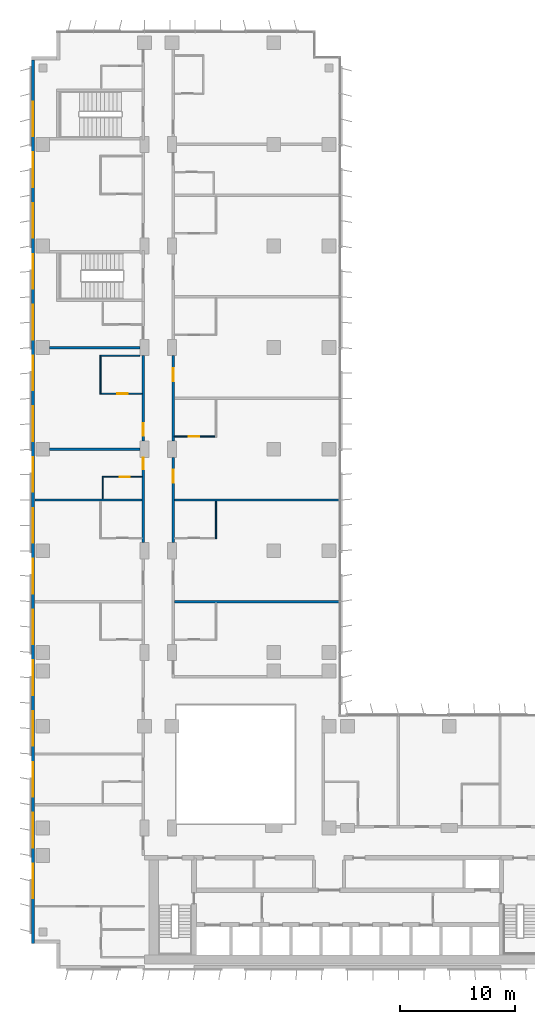
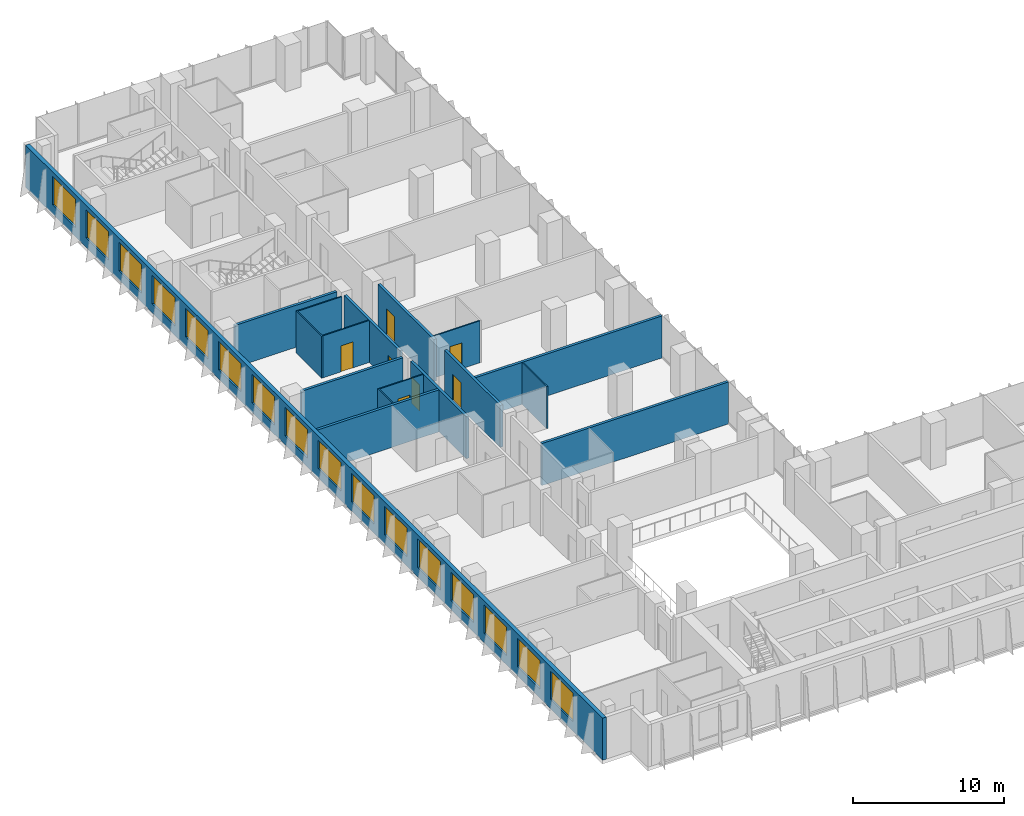
# One storey, part 16 of 22: 17 walls, 16 windows, 7 doors, 23 openings.
"""IFC4 building model written with IfcOpenShell, lengths in metres."""

from ifc_helpers import new_model, si_unit, direction, frame, frame_2d, origin, place, context, subcontext, project, spatial, rectangle, extrude, material, layer, layer_set, type_object, element, fill, save


model = new_model("IFC4")

# Units and contexts
model_context = context("Model", 3, precision=1e-05, world=origin(), true_north=direction((0.0, 1.0)))
body_context = subcontext(model_context, "Body", "Model", "MODEL_VIEW")
ifc_project = project(units=[si_unit("LENGTHUNIT", "METRE"), si_unit("AREAUNIT", "SQUARE_METRE"), si_unit("VOLUMEUNIT", "CUBIC_METRE"), si_unit("PLANEANGLEUNIT", "RADIAN"), si_unit("MASSUNIT", "GRAM", prefix="KILO")], contexts=[model_context])

# Site, building, storey
site_placement = place(None, origin())
site = spatial("IfcSite", under=ifc_project, at=site_placement, CompositionType="ELEMENT")
building_placement = place(site_placement, origin())
building = spatial("IfcBuilding", under=site, at=building_placement, Name="Kemantara Hotel Tower", CompositionType="ELEMENT")
storey_placement = place(building_placement, frame((0.0, 0.0, 87.10009765625)))
storey = spatial("IfcBuildingStorey", under=building, at=storey_placement, Name="L20", CompositionType="ELEMENT", Elevation=87.10009765625)

# Wall, openings, windows
ifc_material_1 = material(Name="Bronze anodised aluminium cladding on insulated steel stud wall", Category="steel")
ifc_layer_1 = layer(ifc_material_1, 0.300048828125)
ifc_layer_set_1 = layer_set([ifc_layer_1], Name="Bronze anodised aluminium cladding on insulated steel stud wall")
wall_type_1 = type_object("IfcWallType", Name="BRONZE METAL-CLAD EXTERNAL WALL 300", PredefinedType="STANDARD", material=ifc_layer_set_1)
wall_1_placement = place(storey_placement, frame((0.14990234375, 78.699951171875, 0.0), z_axis=(0.0, 0.0, 1.0), x_axis=(0.0, -1.0, 0.0)))
wall_1 = element("IfcWall", 1, at=wall_1_placement, inside=storey, type_object=wall_type_1, Name="EXTERNAL WALL L20 T2-R04", PredefinedType="STANDARD", context=body_context, shape_type="SweptSolid", body=[
    extrude(rectangle(XDim=76.5, YDim=0.300048828125, at=frame_2d((38.25, 0.0))), origin(), (0.0, 0.0, 1.0), 3.39990234375),
])
opening_1_placement = place(wall_1_placement, frame((3.60009765625, 0.0, 0.75)))
opening_1 = element("IfcOpeningElement", 2, at=opening_1_placement, cuts=wall_1, Name="Opening W1", PredefinedType="OPENING", context=body_context, shape_type="SweptSolid", body=[
    extrude(rectangle(XDim=3.0, YDim=2.300048828125, at=frame_2d((1.5, 1.14990234375))), frame((0.0, 0.159912109375, 0.0), z_axis=(0.0, -1.0, 0.0), x_axis=(1.0, 0.0, 0.0)), (0.0, 0.0, 1.0), 0.320068359375),
])
opening_2_placement = place(wall_1_placement, frame((8.0, 0.0, 0.75)))
opening_2 = element("IfcOpeningElement", 3, at=opening_2_placement, cuts=wall_1, Name="Opening W1", PredefinedType="OPENING", context=body_context, shape_type="SweptSolid", body=[
    extrude(rectangle(XDim=3.0, YDim=2.300048828125, at=frame_2d((1.5, 1.14990234375))), frame((0.0, 0.159912109375, 0.0), z_axis=(0.0, -1.0, 0.0), x_axis=(1.0, 0.0, 0.0)), (0.0, 0.0, 1.0), 0.320068359375),
])
opening_3_placement = place(wall_1_placement, frame((12.39990234375, 0.0, 0.75)))
opening_3 = element("IfcOpeningElement", 4, at=opening_3_placement, cuts=wall_1, Name="Opening W1", PredefinedType="OPENING", context=body_context, shape_type="SweptSolid", body=[
    extrude(rectangle(XDim=3.0, YDim=2.300048828125, at=frame_2d((1.5, 1.14990234375))), frame((0.0, 0.159912109375, 0.0), z_axis=(0.0, -1.0, 0.0), x_axis=(1.0, 0.0, 0.0)), (0.0, 0.0, 1.0), 0.320068359375),
])
opening_4_placement = place(wall_1_placement, frame((16.800048828125, 0.0, 0.75)))
opening_4 = element("IfcOpeningElement", 5, at=opening_4_placement, cuts=wall_1, Name="Opening W1", PredefinedType="OPENING", context=body_context, shape_type="SweptSolid", body=[
    extrude(rectangle(XDim=3.0, YDim=2.300048828125, at=frame_2d((1.5, 1.14990234375))), frame((0.0, 0.159912109375, 0.0), z_axis=(0.0, -1.0, 0.0), x_axis=(1.0, 0.0, 0.0)), (0.0, 0.0, 1.0), 0.320068359375),
])
opening_5_placement = place(wall_1_placement, frame((21.199951171875, 0.0, 0.75)))
opening_5 = element("IfcOpeningElement", 6, at=opening_5_placement, cuts=wall_1, Name="Opening W1", PredefinedType="OPENING", context=body_context, shape_type="SweptSolid", body=[
    extrude(rectangle(XDim=3.0, YDim=2.300048828125, at=frame_2d((1.5, 1.14990234375))), frame((0.0, 0.159912109375, 0.0), z_axis=(0.0, -1.0, 0.0), x_axis=(1.0, 0.0, 0.0)), (0.0, 0.0, 1.0), 0.320068359375),
])
opening_6_placement = place(wall_1_placement, frame((25.60009765625, 0.0, 0.75)))
opening_6 = element("IfcOpeningElement", 7, at=opening_6_placement, cuts=wall_1, Name="Opening W1", PredefinedType="OPENING", context=body_context, shape_type="SweptSolid", body=[
    extrude(rectangle(XDim=3.0, YDim=2.300048828125, at=frame_2d((1.5, 1.14990234375))), frame((0.0, 0.159912109375, 0.0), z_axis=(0.0, -1.0, 0.0), x_axis=(1.0, 0.0, 0.0)), (0.0, 0.0, 1.0), 0.320068359375),
])
opening_7_placement = place(wall_1_placement, frame((30.0, 0.0, 0.75)))
opening_7 = element("IfcOpeningElement", 8, at=opening_7_placement, cuts=wall_1, Name="Opening W1", PredefinedType="OPENING", context=body_context, shape_type="SweptSolid", body=[
    extrude(rectangle(XDim=3.0, YDim=2.300048828125, at=frame_2d((1.5, 1.14990234375))), frame((0.0, 0.159912109375, 0.0), z_axis=(0.0, -1.0, 0.0), x_axis=(1.0, 0.0, 0.0)), (0.0, 0.0, 1.0), 0.320068359375),
])
opening_8_placement = place(wall_1_placement, frame((34.39990234375, 0.0, 0.75)))
opening_8 = element("IfcOpeningElement", 9, at=opening_8_placement, cuts=wall_1, Name="Opening W1", PredefinedType="OPENING", context=body_context, shape_type="SweptSolid", body=[
    extrude(rectangle(XDim=3.0, YDim=2.300048828125, at=frame_2d((1.5, 1.14990234375))), frame((0.0, 0.159912109375, 0.0), z_axis=(0.0, -1.0, 0.0), x_axis=(1.0, 0.0, 0.0)), (0.0, 0.0, 1.0), 0.320068359375),
])
opening_9_placement = place(wall_1_placement, frame((38.800048828125, 0.0, 0.75)))
opening_9 = element("IfcOpeningElement", 10, at=opening_9_placement, cuts=wall_1, Name="Opening W1", PredefinedType="OPENING", context=body_context, shape_type="SweptSolid", body=[
    extrude(rectangle(XDim=3.0, YDim=2.300048828125, at=frame_2d((1.5, 1.14990234375))), frame((0.0, 0.159912109375, 0.0), z_axis=(0.0, -1.0, 0.0), x_axis=(1.0, 0.0, 0.0)), (0.0, 0.0, 1.0), 0.320068359375),
])
opening_10_placement = place(wall_1_placement, frame((43.199951171875, 0.0, 0.75)))
opening_10 = element("IfcOpeningElement", 11, at=opening_10_placement, cuts=wall_1, Name="Opening W1", PredefinedType="OPENING", context=body_context, shape_type="SweptSolid", body=[
    extrude(rectangle(XDim=3.0, YDim=2.300048828125, at=frame_2d((1.5, 1.14990234375))), frame((0.0, 0.159912109375, 0.0), z_axis=(0.0, -1.0, 0.0), x_axis=(1.0, 0.0, 0.0)), (0.0, 0.0, 1.0), 0.320068359375),
])
opening_11_placement = place(wall_1_placement, frame((47.60009765625, 0.0, 0.75)))
opening_11 = element("IfcOpeningElement", 12, at=opening_11_placement, cuts=wall_1, Name="Opening W1", PredefinedType="OPENING", context=body_context, shape_type="SweptSolid", body=[
    extrude(rectangle(XDim=3.0, YDim=2.300048828125, at=frame_2d((1.5, 1.14990234375))), frame((0.0, 0.159912109375, 0.0), z_axis=(0.0, -1.0, 0.0), x_axis=(1.0, 0.0, 0.0)), (0.0, 0.0, 1.0), 0.320068359375),
])
opening_12_placement = place(wall_1_placement, frame((52.0, 0.0, 0.75)))
opening_12 = element("IfcOpeningElement", 13, at=opening_12_placement, cuts=wall_1, Name="Opening W1", PredefinedType="OPENING", context=body_context, shape_type="SweptSolid", body=[
    extrude(rectangle(XDim=3.0, YDim=2.300048828125, at=frame_2d((1.5, 1.14990234375))), frame((0.0, 0.159912109375, 0.0), z_axis=(0.0, -1.0, 0.0), x_axis=(1.0, 0.0, 0.0)), (0.0, 0.0, 1.0), 0.320068359375),
])
opening_13_placement = place(wall_1_placement, frame((56.39990234375, 0.0, 0.75)))
opening_13 = element("IfcOpeningElement", 14, at=opening_13_placement, cuts=wall_1, Name="Opening W1", PredefinedType="OPENING", context=body_context, shape_type="SweptSolid", body=[
    extrude(rectangle(XDim=3.0, YDim=2.300048828125, at=frame_2d((1.5, 1.14990234375))), frame((0.0, 0.159912109375, 0.0), z_axis=(0.0, -1.0, 0.0), x_axis=(1.0, 0.0, 0.0)), (0.0, 0.0, 1.0), 0.320068359375),
])
opening_14_placement = place(wall_1_placement, frame((60.800048828125, 0.0, 0.75)))
opening_14 = element("IfcOpeningElement", 15, at=opening_14_placement, cuts=wall_1, Name="Opening W1", PredefinedType="OPENING", context=body_context, shape_type="SweptSolid", body=[
    extrude(rectangle(XDim=3.0, YDim=2.300048828125, at=frame_2d((1.5, 1.14990234375))), frame((0.0, 0.159912109375, 0.0), z_axis=(0.0, -1.0, 0.0), x_axis=(1.0, 0.0, 0.0)), (0.0, 0.0, 1.0), 0.320068359375),
])
opening_15_placement = place(wall_1_placement, frame((65.199951171875, 0.0, 0.75)))
opening_15 = element("IfcOpeningElement", 16, at=opening_15_placement, cuts=wall_1, Name="Opening W1", PredefinedType="OPENING", context=body_context, shape_type="SweptSolid", body=[
    extrude(rectangle(XDim=3.0, YDim=2.300048828125, at=frame_2d((1.5, 1.14990234375))), frame((0.0, 0.159912109375, 0.0), z_axis=(0.0, -1.0, 0.0), x_axis=(1.0, 0.0, 0.0)), (0.0, 0.0, 1.0), 0.320068359375),
])
opening_16_placement = place(wall_1_placement, frame((69.60009765625, 0.0, 0.75)))
opening_16 = element("IfcOpeningElement", 17, at=opening_16_placement, cuts=wall_1, Name="Opening W1", PredefinedType="OPENING", context=body_context, shape_type="SweptSolid", body=[
    extrude(rectangle(XDim=3.0, YDim=2.300048828125, at=frame_2d((1.5, 1.14990234375))), frame((0.0, 0.159912109375, 0.0), z_axis=(0.0, -1.0, 0.0), x_axis=(1.0, 0.0, 0.0)), (0.0, 0.0, 1.0), 0.320068359375),
])
ifc_material_2 = material(Name="Low-E tinted double insulated glass in bronze anodised aluminium frame", Category="aluminium")
window_type = type_object("IfcWindowType", Name="CHICAGO WINDOW, TRIPLE PANEL 3000x2300", PartitioningType="TRIPLE_PANEL_VERTICAL", PredefinedType="WINDOW", material=ifc_material_2)
window_1_placement = place(opening_1_placement, origin())
window_1 = element("IfcWindow", 18, at=window_1_placement, inside=storey, type_object=window_type, Name="CHICAGO WINDOW L20 T2-R04-54", OverallHeight=2.300048828125, OverallWidth=3.0, PartitioningType="SINGLE_PANEL", PredefinedType="WINDOW", context=body_context, shape_type="SweptSolid", body=[
    extrude(rectangle(XDim=3.0, YDim=2.300048828125, at=frame_2d((1.5, 1.14990234375))), frame((0.0, 0.030029296875, 0.0), z_axis=(0.0, -1.0, 0.0), x_axis=(1.0, 0.0, 0.0)), (0.0, 0.0, 1.0), 0.06005859375),
])
fill(opening_1, window_1)
window_2_placement = place(opening_2_placement, origin())
window_2 = element("IfcWindow", 19, at=window_2_placement, inside=storey, type_object=window_type, Name="CHICAGO WINDOW L20 T2-R04-98", OverallHeight=2.300048828125, OverallWidth=3.0, PartitioningType="SINGLE_PANEL", PredefinedType="WINDOW", context=body_context, shape_type="SweptSolid", body=[
    extrude(rectangle(XDim=3.0, YDim=2.300048828125, at=frame_2d((1.5, 1.14990234375))), frame((0.0, 0.030029296875, 0.0), z_axis=(0.0, -1.0, 0.0), x_axis=(1.0, 0.0, 0.0)), (0.0, 0.0, 1.0), 0.06005859375),
])
fill(opening_2, window_2)
window_3_placement = place(opening_3_placement, origin())
window_3 = element("IfcWindow", 20, at=window_3_placement, inside=storey, type_object=window_type, Name="CHICAGO WINDOW L20 T2-R04-142", OverallHeight=2.300048828125, OverallWidth=3.0, PartitioningType="SINGLE_PANEL", PredefinedType="WINDOW", context=body_context, shape_type="SweptSolid", body=[
    extrude(rectangle(XDim=3.0, YDim=2.300048828125, at=frame_2d((1.5, 1.14990234375))), frame((0.0, 0.030029296875, 0.0), z_axis=(0.0, -1.0, 0.0), x_axis=(1.0, 0.0, 0.0)), (0.0, 0.0, 1.0), 0.06005859375),
])
fill(opening_3, window_3)
window_4_placement = place(opening_4_placement, origin())
window_4 = element("IfcWindow", 21, at=window_4_placement, inside=storey, type_object=window_type, Name="CHICAGO WINDOW L20 T2-R04-186", OverallHeight=2.300048828125, OverallWidth=3.0, PartitioningType="SINGLE_PANEL", PredefinedType="WINDOW", context=body_context, shape_type="SweptSolid", body=[
    extrude(rectangle(XDim=3.0, YDim=2.300048828125, at=frame_2d((1.5, 1.14990234375))), frame((0.0, 0.030029296875, 0.0), z_axis=(0.0, -1.0, 0.0), x_axis=(1.0, 0.0, 0.0)), (0.0, 0.0, 1.0), 0.06005859375),
])
fill(opening_4, window_4)
window_5_placement = place(opening_5_placement, origin())
window_5 = element("IfcWindow", 22, at=window_5_placement, inside=storey, type_object=window_type, Name="CHICAGO WINDOW L20 T2-R04-230", OverallHeight=2.300048828125, OverallWidth=3.0, PartitioningType="SINGLE_PANEL", PredefinedType="WINDOW", context=body_context, shape_type="SweptSolid", body=[
    extrude(rectangle(XDim=3.0, YDim=2.300048828125, at=frame_2d((1.5, 1.14990234375))), frame((0.0, 0.030029296875, 0.0), z_axis=(0.0, -1.0, 0.0), x_axis=(1.0, 0.0, 0.0)), (0.0, 0.0, 1.0), 0.06005859375),
])
fill(opening_5, window_5)
window_6_placement = place(opening_6_placement, origin())
window_6 = element("IfcWindow", 23, at=window_6_placement, inside=storey, type_object=window_type, Name="CHICAGO WINDOW L20 T2-R04-274", OverallHeight=2.300048828125, OverallWidth=3.0, PartitioningType="SINGLE_PANEL", PredefinedType="WINDOW", context=body_context, shape_type="SweptSolid", body=[
    extrude(rectangle(XDim=3.0, YDim=2.300048828125, at=frame_2d((1.5, 1.14990234375))), frame((0.0, 0.030029296875, 0.0), z_axis=(0.0, -1.0, 0.0), x_axis=(1.0, 0.0, 0.0)), (0.0, 0.0, 1.0), 0.06005859375),
])
fill(opening_6, window_6)
window_7_placement = place(opening_7_placement, origin())
window_7 = element("IfcWindow", 24, at=window_7_placement, inside=storey, type_object=window_type, Name="CHICAGO WINDOW L20 T2-R04-318", OverallHeight=2.300048828125, OverallWidth=3.0, PartitioningType="SINGLE_PANEL", PredefinedType="WINDOW", context=body_context, shape_type="SweptSolid", body=[
    extrude(rectangle(XDim=3.0, YDim=2.300048828125, at=frame_2d((1.5, 1.14990234375))), frame((0.0, 0.030029296875, 0.0), z_axis=(0.0, -1.0, 0.0), x_axis=(1.0, 0.0, 0.0)), (0.0, 0.0, 1.0), 0.06005859375),
])
fill(opening_7, window_7)
window_8_placement = place(opening_8_placement, origin())
window_8 = element("IfcWindow", 25, at=window_8_placement, inside=storey, type_object=window_type, Name="CHICAGO WINDOW L20 T2-R04-362", OverallHeight=2.300048828125, OverallWidth=3.0, PartitioningType="SINGLE_PANEL", PredefinedType="WINDOW", context=body_context, shape_type="SweptSolid", body=[
    extrude(rectangle(XDim=3.0, YDim=2.300048828125, at=frame_2d((1.5, 1.14990234375))), frame((0.0, 0.030029296875, 0.0), z_axis=(0.0, -1.0, 0.0), x_axis=(1.0, 0.0, 0.0)), (0.0, 0.0, 1.0), 0.06005859375),
])
fill(opening_8, window_8)
window_9_placement = place(opening_9_placement, origin())
window_9 = element("IfcWindow", 26, at=window_9_placement, inside=storey, type_object=window_type, Name="CHICAGO WINDOW L20 T2-R04-406", OverallHeight=2.300048828125, OverallWidth=3.0, PartitioningType="SINGLE_PANEL", PredefinedType="WINDOW", context=body_context, shape_type="SweptSolid", body=[
    extrude(rectangle(XDim=3.0, YDim=2.300048828125, at=frame_2d((1.5, 1.14990234375))), frame((0.0, 0.030029296875, 0.0), z_axis=(0.0, -1.0, 0.0), x_axis=(1.0, 0.0, 0.0)), (0.0, 0.0, 1.0), 0.06005859375),
])
fill(opening_9, window_9)
window_10_placement = place(opening_10_placement, origin())
window_10 = element("IfcWindow", 27, at=window_10_placement, inside=storey, type_object=window_type, Name="CHICAGO WINDOW L20 T2-R04-450", OverallHeight=2.300048828125, OverallWidth=3.0, PartitioningType="SINGLE_PANEL", PredefinedType="WINDOW", context=body_context, shape_type="SweptSolid", body=[
    extrude(rectangle(XDim=3.0, YDim=2.300048828125, at=frame_2d((1.5, 1.14990234375))), frame((0.0, 0.030029296875, 0.0), z_axis=(0.0, -1.0, 0.0), x_axis=(1.0, 0.0, 0.0)), (0.0, 0.0, 1.0), 0.06005859375),
])
fill(opening_10, window_10)
window_11_placement = place(opening_11_placement, origin())
window_11 = element("IfcWindow", 28, at=window_11_placement, inside=storey, type_object=window_type, Name="CHICAGO WINDOW L20 T2-R04-494", OverallHeight=2.300048828125, OverallWidth=3.0, PartitioningType="SINGLE_PANEL", PredefinedType="WINDOW", context=body_context, shape_type="SweptSolid", body=[
    extrude(rectangle(XDim=3.0, YDim=2.300048828125, at=frame_2d((1.5, 1.14990234375))), frame((0.0, 0.030029296875, 0.0), z_axis=(0.0, -1.0, 0.0), x_axis=(1.0, 0.0, 0.0)), (0.0, 0.0, 1.0), 0.06005859375),
])
fill(opening_11, window_11)
window_12_placement = place(opening_12_placement, origin())
window_12 = element("IfcWindow", 29, at=window_12_placement, inside=storey, type_object=window_type, Name="CHICAGO WINDOW L20 T2-R04-538", OverallHeight=2.300048828125, OverallWidth=3.0, PartitioningType="SINGLE_PANEL", PredefinedType="WINDOW", context=body_context, shape_type="SweptSolid", body=[
    extrude(rectangle(XDim=3.0, YDim=2.300048828125, at=frame_2d((1.5, 1.14990234375))), frame((0.0, 0.030029296875, 0.0), z_axis=(0.0, -1.0, 0.0), x_axis=(1.0, 0.0, 0.0)), (0.0, 0.0, 1.0), 0.06005859375),
])
fill(opening_12, window_12)
window_13_placement = place(opening_13_placement, origin())
window_13 = element("IfcWindow", 30, at=window_13_placement, inside=storey, type_object=window_type, Name="CHICAGO WINDOW L20 T2-R04-582", OverallHeight=2.300048828125, OverallWidth=3.0, PartitioningType="SINGLE_PANEL", PredefinedType="WINDOW", context=body_context, shape_type="SweptSolid", body=[
    extrude(rectangle(XDim=3.0, YDim=2.300048828125, at=frame_2d((1.5, 1.14990234375))), frame((0.0, 0.030029296875, 0.0), z_axis=(0.0, -1.0, 0.0), x_axis=(1.0, 0.0, 0.0)), (0.0, 0.0, 1.0), 0.06005859375),
])
fill(opening_13, window_13)
window_14_placement = place(opening_14_placement, origin())
window_14 = element("IfcWindow", 31, at=window_14_placement, inside=storey, type_object=window_type, Name="CHICAGO WINDOW L20 T2-R04-626", OverallHeight=2.300048828125, OverallWidth=3.0, PartitioningType="SINGLE_PANEL", PredefinedType="WINDOW", context=body_context, shape_type="SweptSolid", body=[
    extrude(rectangle(XDim=3.0, YDim=2.300048828125, at=frame_2d((1.5, 1.14990234375))), frame((0.0, 0.030029296875, 0.0), z_axis=(0.0, -1.0, 0.0), x_axis=(1.0, 0.0, 0.0)), (0.0, 0.0, 1.0), 0.06005859375),
])
fill(opening_14, window_14)
window_15_placement = place(opening_15_placement, origin())
window_15 = element("IfcWindow", 32, at=window_15_placement, inside=storey, type_object=window_type, Name="CHICAGO WINDOW L20 T2-R04-670", OverallHeight=2.300048828125, OverallWidth=3.0, PartitioningType="SINGLE_PANEL", PredefinedType="WINDOW", context=body_context, shape_type="SweptSolid", body=[
    extrude(rectangle(XDim=3.0, YDim=2.300048828125, at=frame_2d((1.5, 1.14990234375))), frame((0.0, 0.030029296875, 0.0), z_axis=(0.0, -1.0, 0.0), x_axis=(1.0, 0.0, 0.0)), (0.0, 0.0, 1.0), 0.06005859375),
])
fill(opening_15, window_15)
window_16_placement = place(opening_16_placement, origin())
window_16 = element("IfcWindow", 33, at=window_16_placement, inside=storey, type_object=window_type, Name="CHICAGO WINDOW L20 T2-R04-714", OverallHeight=2.300048828125, OverallWidth=3.0, PartitioningType="SINGLE_PANEL", PredefinedType="WINDOW", context=body_context, shape_type="SweptSolid", body=[
    extrude(rectangle(XDim=3.0, YDim=2.300048828125, at=frame_2d((1.5, 1.14990234375))), frame((0.0, 0.030029296875, 0.0), z_axis=(0.0, -1.0, 0.0), x_axis=(1.0, 0.0, 0.0)), (0.0, 0.0, 1.0), 0.06005859375),
])
fill(opening_16, window_16)

# Wall, opening, door
ifc_material_3 = material(Name="Gypsum board partition, steel studs and mineral wool, 200 mm", Category="steel")
ifc_layer_2 = layer(ifc_material_3, 0.199951171875)
ifc_layer_set_2 = layer_set([ifc_layer_2], Name="Gypsum board partition, steel studs and mineral wool, 200 mm")
wall_type_2 = type_object("IfcWallType", Name="CORRIDOR WALL 200", PredefinedType="PARTITIONING", material=ifc_layer_set_2)
wall_2_placement = place(storey_placement, frame((9.699951171875, 36.900146484375, 0.0), z_axis=(0.0, 0.0, 1.0), x_axis=(0.0, 1.0, 0.0)))
wall_2 = element("IfcWall", 34, at=wall_2_placement, inside=storey, type_object=wall_type_2, Name="CORRIDOR WALL 200 018", PredefinedType="PARTITIONING", context=body_context, shape_type="SweptSolid", body=[
    extrude(rectangle(XDim=7.399658203125, YDim=0.199951171875, at=frame_2d((3.69970703125, 0.0))), origin(), (0.0, 0.0, 1.0), 3.39990234375),
])
opening_17_placement = place(wall_2_placement, frame((6.349853515625, 0.0, 0.0)))
opening_17 = element("IfcOpeningElement", 35, at=opening_17_placement, cuts=wall_2, Name="Opening F07-023", PredefinedType="OPENING", context=body_context, shape_type="SweptSolid", body=[
    extrude(rectangle(XDim=1.0, YDim=2.10009765625, at=frame_2d((0.5, 1.050048828125))), frame((0.0, 0.10986328125, 0.0), z_axis=(0.0, -1.0, 0.0), x_axis=(1.0, 0.0, 0.0)), (0.0, 0.0, 1.0), 0.219970703125),
])
ifc_material_4 = material(Name="Hardwood veneer door leaf with steel frame", Category="steel")
door_type_1 = type_object("IfcDoorType", Name="GUEST ROOM DOOR 1000 X 2100 FD30S", OperationType="NOTDEFINED", PredefinedType="DOOR", material=ifc_material_4)
door_1_placement = place(opening_17_placement, origin())
door_1 = element("IfcDoor", 36, at=door_1_placement, inside=storey, type_object=door_type_1, Name="GUEST ROOM DOOR F07-023", OperationType="SINGLE_SWING_RIGHT", OverallHeight=2.10009765625, OverallWidth=1.0, PredefinedType="DOOR", context=body_context, shape_type="SweptSolid", body=[
    extrude(rectangle(XDim=1.0, YDim=2.10009765625, at=frame_2d((0.5, 1.050048828125))), frame((0.0, 0.02490234375, 0.0), z_axis=(0.0, -1.0, 0.0), x_axis=(1.0, 0.0, 0.0)), (0.0, 0.0, 1.0), 0.050048828125),
])
fill(opening_17, door_1)

wall_3_placement = place(storey_placement, frame((9.699951171875, 45.7001953125, 0.0), z_axis=(0.0, 0.0, 1.0), x_axis=(0.0, 1.0, 0.0)))
wall_3 = element("IfcWall", 37, at=wall_3_placement, inside=storey, type_object=wall_type_2, Name="CORRIDOR WALL 200 019", PredefinedType="PARTITIONING", context=body_context, shape_type="SweptSolid", body=[
    extrude(rectangle(XDim=7.399658203125, YDim=0.199951171875, at=frame_2d((3.69970703125, 0.0))), origin(), (0.0, 0.0, 1.0), 3.39990234375),
])
opening_18_placement = place(wall_3_placement, frame((0.449951171875, 0.0, 0.0)))
opening_18 = element("IfcOpeningElement", 38, at=opening_18_placement, cuts=wall_3, Name="Opening F07-025", PredefinedType="OPENING", context=body_context, shape_type="SweptSolid", body=[
    extrude(rectangle(XDim=1.10009765625, YDim=2.10009765625, at=frame_2d((0.550048828125, 1.050048828125))), frame((0.0, 0.10986328125, 0.0), z_axis=(0.0, -1.0, 0.0), x_axis=(1.0, 0.0, 0.0)), (0.0, 0.0, 1.0), 0.219970703125),
])
door_type_2 = type_object("IfcDoorType", Name="SUITE ENTRANCE DOOR 1100 X 2100 FD30S", OperationType="NOTDEFINED", PredefinedType="DOOR", material=ifc_material_4)
door_2_placement = place(opening_18_placement, origin())
door_2 = element("IfcDoor", 39, at=door_2_placement, inside=storey, type_object=door_type_2, Name="SUITE ENTRANCE DOOR F07-025", OperationType="SINGLE_SWING_LEFT", OverallHeight=2.10009765625, OverallWidth=1.10009765625, PredefinedType="DOOR", context=body_context, shape_type="SweptSolid", body=[
    extrude(rectangle(XDim=1.10009765625, YDim=2.10009765625, at=frame_2d((0.550048828125, 1.050048828125))), frame((0.0, 0.02490234375, 0.0), z_axis=(0.0, -1.0, 0.0), x_axis=(1.0, 0.0, 0.0)), (0.0, 0.0, 1.0), 0.050048828125),
])
fill(opening_18, door_2)

wall_4_placement = place(storey_placement, frame((12.300048828125, 44.2998046875, 0.0), z_axis=(0.0, 0.0, 1.0), x_axis=(0.0, -1.0, 0.0)))
wall_4 = element("IfcWall", 40, at=wall_4_placement, inside=storey, type_object=wall_type_2, Name="CORRIDOR WALL 200 033", PredefinedType="PARTITIONING", context=body_context, shape_type="SweptSolid", body=[
    extrude(rectangle(XDim=7.399658203125, YDim=0.199951171875, at=frame_2d((3.69970703125, 0.0))), origin(), (0.0, 0.0, 1.0), 3.39990234375),
])
opening_19_placement = place(wall_4_placement, frame((1.099853515625, 0.0, 0.0)))
opening_19 = element("IfcOpeningElement", 41, at=opening_19_placement, cuts=wall_4, Name="Opening F07-037", PredefinedType="OPENING", context=body_context, shape_type="SweptSolid", body=[
    extrude(rectangle(XDim=1.10009765625, YDim=2.10009765625, at=frame_2d((0.550048828125, 1.050048828125))), frame((0.0, 0.10986328125, 0.0), z_axis=(0.0, -1.0, 0.0), x_axis=(1.0, 0.0, 0.0)), (0.0, 0.0, 1.0), 0.219970703125),
])
door_3_placement = place(opening_19_placement, origin())
door_3 = element("IfcDoor", 42, at=door_3_placement, inside=storey, type_object=door_type_2, Name="SUITE ENTRANCE DOOR F07-037", OperationType="SINGLE_SWING_RIGHT", OverallHeight=2.10009765625, OverallWidth=1.10009765625, PredefinedType="DOOR", context=body_context, shape_type="SweptSolid", body=[
    extrude(rectangle(XDim=1.10009765625, YDim=2.10009765625, at=frame_2d((0.550048828125, 1.050048828125))), frame((0.0, 0.02490234375, 0.0), z_axis=(0.0, -1.0, 0.0), x_axis=(1.0, 0.0, 0.0)), (0.0, 0.0, 1.0), 0.050048828125),
])
fill(opening_19, door_3)

wall_5_placement = place(storey_placement, frame((12.300048828125, 53.099853515625, 0.0), z_axis=(0.0, 0.0, 1.0), x_axis=(0.0, -1.0, 0.0)))
wall_5 = element("IfcWall", 43, at=wall_5_placement, inside=storey, type_object=wall_type_2, Name="CORRIDOR WALL 200 034", PredefinedType="PARTITIONING", context=body_context, shape_type="SweptSolid", body=[
    extrude(rectangle(XDim=7.399658203125, YDim=0.199951171875, at=frame_2d((3.69970703125, 0.0))), origin(), (0.0, 0.0, 1.0), 3.39990234375),
])
opening_20_placement = place(wall_5_placement, frame((1.099853515625, 0.0, 0.0)))
opening_20 = element("IfcOpeningElement", 44, at=opening_20_placement, cuts=wall_5, Name="Opening F07-039", PredefinedType="OPENING", context=body_context, shape_type="SweptSolid", body=[
    extrude(rectangle(XDim=1.10009765625, YDim=2.10009765625, at=frame_2d((0.550048828125, 1.050048828125))), frame((0.0, 0.10986328125, 0.0), z_axis=(0.0, -1.0, 0.0), x_axis=(1.0, 0.0, 0.0)), (0.0, 0.0, 1.0), 0.219970703125),
])
door_4_placement = place(opening_20_placement, origin())
door_4 = element("IfcDoor", 45, at=door_4_placement, inside=storey, type_object=door_type_2, Name="SUITE ENTRANCE DOOR F07-039", OperationType="SINGLE_SWING_RIGHT", OverallHeight=2.10009765625, OverallWidth=1.10009765625, PredefinedType="DOOR", context=body_context, shape_type="SweptSolid", body=[
    extrude(rectangle(XDim=1.10009765625, YDim=2.10009765625, at=frame_2d((0.550048828125, 1.050048828125))), frame((0.0, 0.02490234375, 0.0), z_axis=(0.0, -1.0, 0.0), x_axis=(1.0, 0.0, 0.0)), (0.0, 0.0, 1.0), 0.050048828125),
])
fill(opening_20, door_4)

# Walls
ifc_layer_3 = layer(ifc_material_3, 0.199951171875)
ifc_layer_set_3 = layer_set([ifc_layer_3], Name="Gypsum board partition, steel studs and mineral wool, 200 mm")
wall_type_3 = type_object("IfcWallType", Name="GUEST ROOM PARTY WALL 200", PredefinedType="PARTITIONING", material=ifc_layer_set_3)
wall_6_placement = place(storey_placement, frame((12.39990234375, 31.800048828125, 0.0), z_axis=(0.0, 0.0, 1.0), x_axis=(1.0, 0.0, 0.0)))
element("IfcWall", 46, at=wall_6_placement, inside=storey, type_object=wall_type_3, Name="GUEST ROOM PARTY WALL 200 026", PredefinedType="PARTITIONING", context=body_context, shape_type="SweptSolid", body=[
    extrude(rectangle(XDim=14.27001953125, YDim=0.199951171875, at=frame_2d((7.135009765625, 0.0))), origin(), (0.0, 0.0, 1.0), 3.39990234375),
])
wall_7_placement = place(storey_placement, frame((0.31005859375, 40.60009765625, 0.0), z_axis=(0.0, 0.0, 1.0), x_axis=(1.0, 0.0, 0.0)))
element("IfcWall", 47, at=wall_7_placement, inside=storey, type_object=wall_type_3, Name="GUEST ROOM PARTY WALL 200 027", PredefinedType="PARTITIONING", context=body_context, shape_type="SweptSolid", body=[
    extrude(rectangle(XDim=9.2900390625, YDim=0.199951171875, at=frame_2d((4.64501953125, 0.0))), origin(), (0.0, 0.0, 1.0), 3.39990234375),
])
wall_8_placement = place(storey_placement, frame((12.39990234375, 40.60009765625, 0.0), z_axis=(0.0, 0.0, 1.0), x_axis=(1.0, 0.0, 0.0)))
element("IfcWall", 48, at=wall_8_placement, inside=storey, type_object=wall_type_3, Name="GUEST ROOM PARTY WALL 200 028", PredefinedType="PARTITIONING", context=body_context, shape_type="SweptSolid", body=[
    extrude(rectangle(XDim=14.27001953125, YDim=0.199951171875, at=frame_2d((7.135009765625, 0.0))), origin(), (0.0, 0.0, 1.0), 3.39990234375),
])
for number, where, z_axis, x_axis, name in (
    (49, (1.60009765625, 45.0, 0.0), (0.0, 0.0, 1.0), (1.0, 0.0, 0.0), "GUEST ROOM PARTY WALL 200 029"),
    (50, (1.60009765625, 53.800048828125, 0.0), (0.0, 0.0, 1.0), (1.0, 0.0, 0.0), "GUEST ROOM PARTY WALL 200 030"),
):
    element("IfcWall", number, at=place(storey_placement, frame(where, z_axis=z_axis, x_axis=x_axis)), inside=storey, type_object=wall_type_3, Name=name, PredefinedType="PARTITIONING", context=body_context, shape_type="SweptSolid", body=[
        extrude(rectangle(XDim=7.7998046875, YDim=0.199951171875, at=frame_2d((3.89990234375, 0.0))), origin(), (0.0, 0.0, 1.0), 3.39990234375),
    ])
ifc_material_5 = material(Name="Gypsum board partition on steel studs, 100 mm", Category="steel")
ifc_layer_4 = layer(ifc_material_5, 0.10009765625)
ifc_layer_set_4 = layer_set([ifc_layer_4], Name="Gypsum board partition on steel studs, 100 mm")
wall_type_4 = type_object("IfcWallType", Name="ROOM PARTITION 100", PredefinedType="PARTITIONING", material=ifc_layer_set_4)
wall_9_placement = place(storey_placement, frame((6.199951171875, 40.699951171875, 0.0), z_axis=(0.0, 0.0, 1.0), x_axis=(0.0, 1.0, 0.0)))
element("IfcWall", 51, at=wall_9_placement, inside=storey, type_object=wall_type_4, Name="ROOM PARTITION 100 066", PredefinedType="PARTITIONING", context=body_context, shape_type="SweptSolid", body=[
    extrude(rectangle(XDim=1.949951171875, YDim=0.10009765625, at=frame_2d((0.97509765625, 0.0))), origin(), (0.0, 0.0, 1.0), 3.39990234375),
])
wall_10_placement = place(storey_placement, frame((6.0, 49.75, 0.0), z_axis=(0.0, 0.0, 1.0), x_axis=(0.0, 1.0, 0.0)))
element("IfcWall", 52, at=wall_10_placement, inside=storey, type_object=wall_type_4, Name="ROOM PARTITION 100 070", PredefinedType="PARTITIONING", context=body_context, shape_type="SweptSolid", body=[
    extrude(rectangle(XDim=3.39990234375, YDim=0.10009765625, at=frame_2d((1.699951171875, 0.0))), origin(), (0.0, 0.0, 1.0), 3.39990234375),
])

# Wall, opening, door
wall_11_placement = place(storey_placement, frame((9.60009765625, 42.60009765625, 0.0), z_axis=(0.0, 0.0, 1.0), x_axis=(-1.0, 0.0, 0.0)))
wall_11 = element("IfcWall", 53, at=wall_11_placement, inside=storey, type_object=wall_type_4, Name="ROOM PARTITION 100 076", PredefinedType="PARTITIONING", context=body_context, shape_type="SweptSolid", body=[
    extrude(rectangle(XDim=3.35009765625, YDim=0.10009765625, at=frame_2d((1.675048828125, 0.0))), origin(), (0.0, 0.0, 1.0), 3.39990234375),
])
opening_21_placement = place(wall_11_placement, frame((1.050048828125, 0.0, 0.0)))
opening_21 = element("IfcOpeningElement", 54, at=opening_21_placement, cuts=wall_11, Name="Opening F07-024", PredefinedType="OPENING", context=body_context, shape_type="SweptSolid", body=[
    extrude(rectangle(XDim=0.89990234375, YDim=2.10009765625, at=frame_2d((0.449951171875, 1.050048828125))), frame((0.0, 0.06005859375, 0.0), z_axis=(0.0, -1.0, 0.0), x_axis=(1.0, 0.0, 0.0)), (0.0, 0.0, 1.0), 0.1201171875),
])
door_type_3 = type_object("IfcDoorType", Name="BATHROOM DOOR 900 X 2100", OperationType="NOTDEFINED", PredefinedType="DOOR", material=ifc_material_4)
door_5_placement = place(opening_21_placement, origin())
door_5 = element("IfcDoor", 55, at=door_5_placement, inside=storey, type_object=door_type_3, Name="BATHROOM DOOR F07-024", OperationType="SINGLE_SWING_LEFT", OverallHeight=2.10009765625, OverallWidth=0.89990234375, PredefinedType="DOOR", context=body_context, shape_type="SweptSolid", body=[
    extrude(rectangle(XDim=0.89990234375, YDim=2.10009765625, at=frame_2d((0.449951171875, 1.050048828125))), frame((0.0, 0.02490234375, 0.0), z_axis=(0.0, -1.0, 0.0), x_axis=(1.0, 0.0, 0.0)), (0.0, 0.0, 1.0), 0.050048828125),
])
fill(opening_21, door_5)

wall_12_placement = place(storey_placement, frame((6.050048828125, 49.800048828125, 0.0), z_axis=(0.0, 0.0, 1.0), x_axis=(1.0, 0.0, 0.0)))
wall_12 = element("IfcWall", 56, at=wall_12_placement, inside=storey, type_object=wall_type_4, Name="ROOM PARTITION 100 077", PredefinedType="PARTITIONING", context=body_context, shape_type="SweptSolid", body=[
    extrude(rectangle(XDim=3.550048828125, YDim=0.10009765625, at=frame_2d((1.77490234375, 0.0))), origin(), (0.0, 0.0, 1.0), 3.39990234375),
])
opening_22_placement = place(wall_12_placement, frame((1.39990234375, 0.0, 0.0)))
opening_22 = element("IfcOpeningElement", 57, at=opening_22_placement, cuts=wall_12, Name="Opening F07-026", PredefinedType="OPENING", context=body_context, shape_type="SweptSolid", body=[
    extrude(rectangle(XDim=0.89990234375, YDim=2.10009765625, at=frame_2d((0.449951171875, 1.050048828125))), frame((0.0, 0.06005859375, 0.0), z_axis=(0.0, -1.0, 0.0), x_axis=(1.0, 0.0, 0.0)), (0.0, 0.0, 1.0), 0.1201171875),
])
door_6_placement = place(opening_22_placement, origin())
door_6 = element("IfcDoor", 58, at=door_6_placement, inside=storey, type_object=door_type_3, Name="BATHROOM DOOR F07-026", OperationType="SINGLE_SWING_RIGHT", OverallHeight=2.10009765625, OverallWidth=0.89990234375, PredefinedType="DOOR", context=body_context, shape_type="SweptSolid", body=[
    extrude(rectangle(XDim=0.89990234375, YDim=2.10009765625, at=frame_2d((0.449951171875, 1.050048828125))), frame((0.0, 0.02490234375, 0.0), z_axis=(0.0, -1.0, 0.0), x_axis=(1.0, 0.0, 0.0)), (0.0, 0.0, 1.0), 0.050048828125),
])
fill(opening_22, door_6)

# Walls
wall_13_placement = place(storey_placement, frame((6.050048828125, 53.10009765625, 0.0), z_axis=(0.0, 0.0, 1.0), x_axis=(1.0, 0.0, 0.0)))
element("IfcWall", 59, at=wall_13_placement, inside=storey, type_object=wall_type_4, Name="ROOM PARTITION 100 078", PredefinedType="PARTITIONING", context=body_context, shape_type="SweptSolid", body=[
    extrude(rectangle(XDim=3.349853515625, YDim=0.10009765625, at=frame_2d((1.6748046875, 0.0))), origin(), (0.0, 0.0, 1.0), 3.39990234375),
])
wall_14_placement = place(storey_placement, frame((16.0, 37.25, 0.0), z_axis=(0.0, 0.0, 1.0), x_axis=(0.0, 1.0, 0.0)))
element("IfcWall", 60, at=wall_14_placement, inside=storey, type_object=wall_type_4, Name="ROOM PARTITION 100 084", PredefinedType="PARTITIONING", context=body_context, shape_type="SweptSolid", body=[
    extrude(rectangle(XDim=3.25, YDim=0.10009765625, at=frame_2d((1.625, 0.0))), origin(), (0.0, 0.0, 1.0), 3.39990234375),
])

# Wall, opening, door
wall_15_placement = place(storey_placement, frame((12.39990234375, 46.10009765625, 0.0), z_axis=(0.0, 0.0, 1.0), x_axis=(1.0, 0.0, 0.0)))
wall_15 = element("IfcWall", 61, at=wall_15_placement, inside=storey, type_object=wall_type_4, Name="ROOM PARTITION 100 088", PredefinedType="PARTITIONING", context=body_context, shape_type="SweptSolid", body=[
    extrude(rectangle(XDim=3.550048828125, YDim=0.10009765625, at=frame_2d((1.77490234375, 0.0))), origin(), (0.0, 0.0, 1.0), 3.39990234375),
])
opening_23_placement = place(wall_15_placement, frame((1.25, 0.0, 0.0)))
opening_23 = element("IfcOpeningElement", 62, at=opening_23_placement, cuts=wall_15, Name="Opening F07-038", PredefinedType="OPENING", context=body_context, shape_type="SweptSolid", body=[
    extrude(rectangle(XDim=0.89990234375, YDim=2.10009765625, at=frame_2d((0.449951171875, 1.050048828125))), frame((0.0, 0.06005859375, 0.0), z_axis=(0.0, -1.0, 0.0), x_axis=(1.0, 0.0, 0.0)), (0.0, 0.0, 1.0), 0.1201171875),
])
door_7_placement = place(opening_23_placement, origin())
door_7 = element("IfcDoor", 63, at=door_7_placement, inside=storey, type_object=door_type_3, Name="BATHROOM DOOR F07-038", OperationType="SINGLE_SWING_LEFT", OverallHeight=2.10009765625, OverallWidth=0.89990234375, PredefinedType="DOOR", context=body_context, shape_type="SweptSolid", body=[
    extrude(rectangle(XDim=0.89990234375, YDim=2.10009765625, at=frame_2d((0.449951171875, 1.050048828125))), frame((0.0, 0.02490234375, 0.0), z_axis=(0.0, -1.0, 0.0), x_axis=(1.0, 0.0, 0.0)), (0.0, 0.0, 1.0), 0.050048828125),
])
fill(opening_23, door_7)

save(model, "model.ifc")
